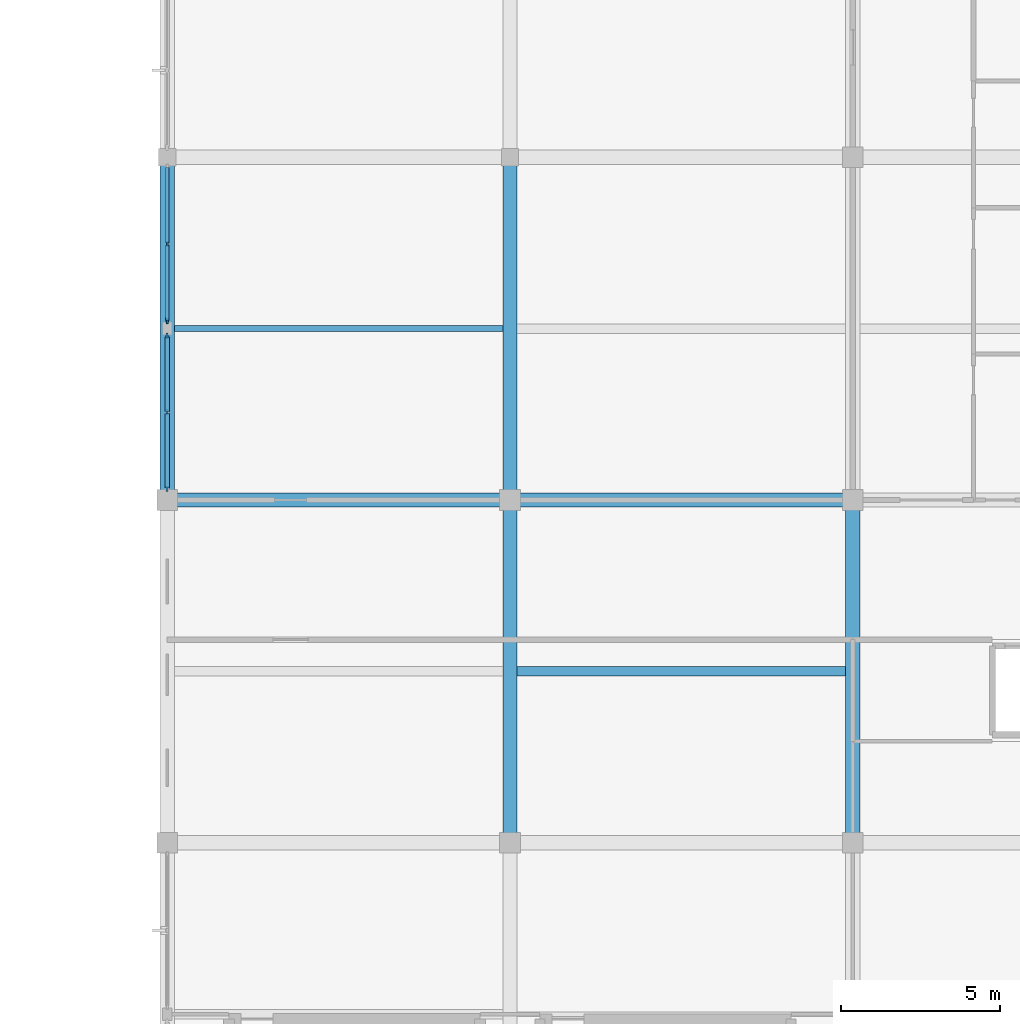
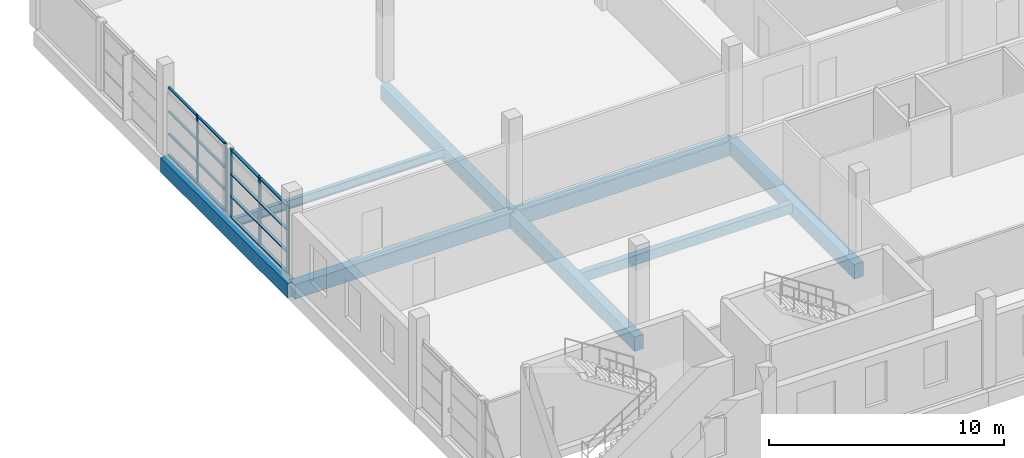
# One storey, part 5 of 24: 21 members, 8 beams, 2 elements without a shape of their own.
"""IFC4 building model written with IfcOpenShell, lengths in metres."""

import ifcopenshell
import ifcopenshell.guid

model = None  # the IFC model being written
_history = None  # IfcOwnerHistory: only IFC2X3 demands one
_inside = {}  # id of a spatial element -> (the spatial element, [elements in it])
_under = {}  # id of a project, library or spatial element -> (it, [spatial elements below it])
_declared = {}  # id of a project -> (the project, [libraries it declares])
_typed = {}  # id of a type object -> (the type object, [elements of that type])
_made_of = {}  # id of a material, layer set ... -> (it, [elements and type objects made of it])


def new_model(schema):
    """Start an empty IFC model of exactly this schema.

    Asked for "IFC4X3", IfcOpenShell would pick the latest addendum, in which some entities
    have other attributes; the version numbers below select the first issue.
    IFC2X3 requires an IfcOwnerHistory on every rooted entity: one is made here for all.
    """
    global model, _history
    if schema == "IFC4X3":
        model = ifcopenshell.file(schema_version=(4, 3, 0, 0))
    else:
        model = ifcopenshell.file(schema=schema)
    _inside.clear()
    _under.clear()
    _declared.clear()
    _typed.clear()
    _made_of.clear()
    _history = None
    if model.schema == "IFC2X3":
        org = make("IfcOrganization", Name="unknown")
        user = make(
            "IfcPersonAndOrganization",
            ThePerson=make("IfcPerson", FamilyName="unknown"),
            TheOrganization=org,
        )
        app = make(
            "IfcApplication",
            ApplicationDeveloper=org,
            Version="unknown",
            ApplicationFullName="unknown",
            ApplicationIdentifier="unknown",
        )
        _history = make(
            "IfcOwnerHistory",
            OwningUser=user,
            OwningApplication=app,
            ChangeAction="ADDED",
            CreationDate=0,
        )
    return model


def make(cls, **values):
    """One entity of the class cls with the attributes given. An attribute that is None is left unset."""
    return model.create_entity(
        cls, **{name: value for name, value in values.items() if value is not None}
    )


def rooted(cls, **values):
    """An entity with a GlobalId (a new one), such as an element, a storey or a relation."""
    return make(cls, GlobalId=ifcopenshell.guid.new(), OwnerHistory=_history, **values)


def si_unit(unit_type, name, prefix=None):
    """IfcSIUnit, for example si_unit("LENGTHUNIT", "METRE", prefix="MILLI")."""
    return make("IfcSIUnit", UnitType=unit_type, Prefix=prefix, Name=name)


def assignment(units):
    """IfcUnitAssignment: the units of a project."""
    return None if units is None else make("IfcUnitAssignment", Units=units)


def point(xyz):
    """IfcCartesianPoint."""
    return None if xyz is None else make("IfcCartesianPoint", Coordinates=xyz)


def direction(xyz):
    """IfcDirection."""
    return None if xyz is None else make("IfcDirection", DirectionRatios=xyz)


def frame(location, z_axis=None, x_axis=None):
    """IfcAxis2Placement3D, a coordinate frame: its origin and axes. An axis left out is left unset."""
    return make(
        "IfcAxis2Placement3D",
        Location=point(location),
        Axis=direction(z_axis),
        RefDirection=direction(x_axis),
    )


def frame_2d(location, x_axis=None):
    """IfcAxis2Placement2D, a coordinate frame in the plane: its origin and x axis."""
    return make(
        "IfcAxis2Placement2D", Location=point(location), RefDirection=direction(x_axis)
    )


def origin():
    """The frame at (0, 0, 0) with its axes left unset."""
    return frame((0.0, 0.0, 0.0))


def origin_2d():
    """The frame at (0, 0) in the plane with its x axis left unset."""
    return frame_2d((0.0, 0.0))


def place(relative_to, where):
    """IfcLocalPlacement: puts the frame where relative to a parent placement (None: the world)."""
    return make(
        "IfcLocalPlacement", PlacementRelTo=relative_to, RelativePlacement=where
    )


def context(
    kind, dimensions, precision=None, world=None, true_north=None, identifier=None
):
    """IfcGeometricRepresentationContext, for example the 3D "Model" context."""
    return make(
        "IfcGeometricRepresentationContext",
        ContextIdentifier=identifier,
        ContextType=kind,
        CoordinateSpaceDimension=dimensions,
        Precision=precision,
        WorldCoordinateSystem=world,
        TrueNorth=true_north,
    )


def subcontext(parent, identifier, kind, view, scale=None):
    """IfcGeometricRepresentationSubContext, for example "Body" below "Model"."""
    return make(
        "IfcGeometricRepresentationSubContext",
        ContextIdentifier=identifier,
        ContextType=kind,
        ParentContext=parent,
        TargetScale=scale,
        TargetView=view,
    )


def project(units=None, contexts=None):
    """IfcProject with its units and contexts."""
    return rooted(
        "IfcProject",
        Name="project",
        RepresentationContexts=contexts,
        UnitsInContext=assignment(units),
    )


def spatial(cls, under=None, at=None, **own):
    """A site, building, storey or space (cls), placed at a placement, below another one or the project."""
    s = rooted(cls, ObjectPlacement=at, **own)
    if under is not None:
        _under.setdefault(under.id(), (under, []))[1].append(s)
    return s


def profile(cls, at=None, kind="AREA", **sizes):
    """A parametric profile (cls). Its sizes go by their IFC names, for example OverallWidth=200.0."""
    return make(cls, ProfileType=kind, Position=at, **sizes)


def rectangle(**sizes):
    """IfcRectangleProfileDef."""
    return profile("IfcRectangleProfileDef", **sizes)


def i_section(**sizes):
    """IfcIShapeProfileDef."""
    return profile("IfcIShapeProfileDef", **sizes)


def extrude(swept, where, along, depth):
    """IfcExtrudedAreaSolid: the profile swept, set in the frame where, extruded along a direction by depth."""
    return make(
        "IfcExtrudedAreaSolid",
        SweptArea=swept,
        Position=where,
        ExtrudedDirection=direction(along),
        Depth=depth,
    )


def shape(context_of_items, identifier, shape_type, items):
    """IfcShapeRepresentation: the items that make up one representation, for example the "Body"."""
    return make(
        "IfcShapeRepresentation",
        ContextOfItems=context_of_items,
        RepresentationIdentifier=identifier,
        RepresentationType=shape_type,
        Items=items,
    )


def material(Name=None, Category=None):
    """IfcMaterial."""
    return make("IfcMaterial", Name=Name, Category=Category)


def material_profile(
    of_material, cross_section, Name=None, Category=None, Priority=None
):
    """IfcMaterialProfile: a cross section and its material."""
    return make(
        "IfcMaterialProfile",
        Name=Name,
        Material=of_material,
        Profile=cross_section,
        Priority=Priority,
        Category=Category,
    )


def profile_set(profiles, Name=None, composite=None):
    """IfcMaterialProfileSet."""
    return make(
        "IfcMaterialProfileSet",
        Name=Name,
        MaterialProfiles=profiles,
        CompositeProfile=composite,
    )


def made_of(thing, what):
    """Note that an element or type object is made of a material, layer set ...; save() writes the relation."""
    if what is not None:
        _made_of.setdefault(what.id(), (what, []))[1].append(thing)
    return thing


def type_object(cls, material=None, **own):
    """A type object (cls), such as IfcWallType, which elements share."""
    return made_of(rooted(cls, **own), material)


def element(
    cls,
    number,
    at=None,
    inside=None,
    cuts=None,
    type_object=None,
    material=None,
    context=None,
    identifier="Body",
    shape_type=None,
    held_by="IfcProductDefinitionShape",
    body=None,
    shapes=None,
    **own,
):
    """One element of the class cls, such as IfcWall. Its Tag is "e" and its number.

    at: its placement. inside: the storey or other place that contains it. cuts: it is an
    opening in that element (IfcRelVoidsElement). A single representation is given by context,
    identifier, shape_type and body (its items); several are given by shapes. held_by: the class
    of the entity that holds the representations. save() writes the other relations.
    """
    e = rooted(cls, Tag="e%d" % number, ObjectPlacement=at, **own)
    if body is not None:
        shapes = [shape(context, identifier, shape_type, body)]
    if shapes is not None:
        e.Representation = make(held_by, Representations=shapes)
    if inside is not None:
        _inside.setdefault(inside.id(), (inside, []))[1].append(e)
    if cuts is not None:
        rooted(
            "IfcRelVoidsElement", RelatingBuildingElement=cuts, RelatedOpeningElement=e
        )
    if type_object is not None:
        _typed.setdefault(type_object.id(), (type_object, []))[1].append(e)
    return made_of(e, material)


def aggregate(whole, parts):
    """IfcRelAggregates: a whole, such as a stair, and the parts it consists of."""
    return rooted("IfcRelAggregates", RelatingObject=whole, RelatedObjects=parts)


def save(model, path):
    """Write the relations noted so far, then the file.

    IfcRelAggregates (storeys below a building ...), IfcRelContainedInSpatialStructure (elements
    in a storey), IfcRelDefinesByType, IfcRelAssociatesMaterial and IfcRelDeclares: one each for
    every whole, place, type object, material and project.
    """
    for whole, parts in _under.values():
        aggregate(whole, parts)
    for where, things in _inside.values():
        rooted(
            "IfcRelContainedInSpatialStructure",
            RelatedElements=things,
            RelatingStructure=where,
        )
    for kind, things in _typed.values():
        rooted("IfcRelDefinesByType", RelatedObjects=things, RelatingType=kind)
    for what, things in _made_of.values():
        rooted("IfcRelAssociatesMaterial", RelatedObjects=things, RelatingMaterial=what)
    for by, libraries in _declared.values():
        rooted("IfcRelDeclares", RelatingContext=by, RelatedDefinitions=libraries)
    model.write(path)


model = new_model("IFC4")

# Units and contexts
model_context = context("Model", 3, precision=1e-05, world=origin(), true_north=direction((0.0, 1.0)))
body_context = subcontext(model_context, "Body", "Model", "MODEL_VIEW")
ifc_project = project(units=[si_unit("LENGTHUNIT", "METRE"), si_unit("AREAUNIT", "SQUARE_METRE"), si_unit("VOLUMEUNIT", "CUBIC_METRE"), si_unit("PLANEANGLEUNIT", "RADIAN"), si_unit("MASSUNIT", "GRAM", prefix="KILO")], contexts=[model_context])

# Site, building, storey
site_placement = place(None, origin())
site = spatial("IfcSite", under=ifc_project, at=site_placement, CompositionType="ELEMENT")
building_placement = place(site_placement, origin())
building = spatial("IfcBuilding", under=site, at=building_placement, Name="Zwinboog Wholesale Market", CompositionType="ELEMENT")
storey_placement = place(building_placement, frame((0.0, 0.0, 10.080078125)))
storey = spatial("IfcBuildingStorey", under=building, at=storey_placement, Name="L02", CompositionType="ELEMENT", Elevation=10.080078125)

# Beams
ifc_material_1 = material(Name="Precast concrete C45/55", Category="concrete")
ifc_material_profile_1 = material_profile(ifc_material_1, rectangle(XDim=0.449951171875, YDim=0.75, at=origin_2d()), Name="PC 450x750")
ifc_profile_set_1 = profile_set([ifc_material_profile_1], Name="Precast concrete C45/55")
beam_type_1 = type_object("IfcBeamType", Name="BT-04", PredefinedType="BEAM", material=ifc_profile_set_1)
beam_1_placement = place(storey_placement, frame((129.60009765625, 21.60009765625, -0.655029296875), z_axis=(1.0, 0.0, 0.0), x_axis=(0.0, 1.0, 0.0)))
element("IfcBeam", 1, at=beam_1_placement, inside=storey, type_object=beam_type_1, Name="BG-04 (BMG-L02-1296-0216-0933)", PredefinedType="BEAM", context=body_context, shape_type="SweptSolid", body=[
    extrude(rectangle(XDim=0.449951171875, YDim=0.75, at=origin_2d()), origin(), (0.0, 0.0, 1.0), 10.7998046875),
])
beam_2_placement = place(storey_placement, frame((140.39990234375, 21.60009765625, -0.68017578125), z_axis=(1.0, 0.0, 0.0), x_axis=(0.0, 1.0, 0.0)))
element("IfcBeam", 2, at=beam_2_placement, inside=storey, type_object=beam_type_1, Name="BG-04 (BMG-L02-1404-0216-0934)", PredefinedType="BEAM", context=body_context, shape_type="SweptSolid", body=[
    extrude(rectangle(XDim=0.449951171875, YDim=0.75, at=origin_2d()), origin(), (0.0, 0.0, 1.0), 10.800048828125),
])
beam_3_placement = place(storey_placement, frame((129.60009765625, 21.60009765625, -0.655029296875), z_axis=(0.0, 1.0, 0.0), x_axis=(-1.0, 0.0, 0.0)))
element("IfcBeam", 3, at=beam_3_placement, inside=storey, type_object=beam_type_1, Name="BG-04 (BMG-L02-1296-0216-0955)", PredefinedType="BEAM", context=body_context, shape_type="SweptSolid", body=[
    extrude(rectangle(XDim=0.449951171875, YDim=0.75, at=origin_2d()), origin(), (0.0, 0.0, 1.0), 10.7998046875),
])
beam_4_placement = place(storey_placement, frame((140.39990234375, 10.800048828125, -0.655029296875), z_axis=(0.0, 1.0, 0.0), x_axis=(-1.0, 0.0, 0.0)))
element("IfcBeam", 4, at=beam_4_placement, inside=storey, type_object=beam_type_1, Name="BG-04 (BMG-L02-1404-0108-0958)", PredefinedType="BEAM", context=body_context, shape_type="SweptSolid", body=[
    extrude(rectangle(XDim=0.449951171875, YDim=0.75, at=origin_2d()), origin(), (0.0, 0.0, 1.0), 10.800048828125),
])
beam_5_placement = place(storey_placement, frame((140.39990234375, 21.60009765625, -0.655029296875), z_axis=(0.0, 1.0, 0.0), x_axis=(-1.0, 0.0, 0.0)))
element("IfcBeam", 5, at=beam_5_placement, inside=storey, type_object=beam_type_1, Name="BG-04 (BMG-L02-1404-0216-0959)", PredefinedType="BEAM", context=body_context, shape_type="SweptSolid", body=[
    extrude(rectangle(XDim=0.449951171875, YDim=0.75, at=origin_2d()), origin(), (0.0, 0.0, 1.0), 10.7998046875),
])
beam_6_placement = place(storey_placement, frame((151.199951171875, 10.800048828125, -0.68017578125), z_axis=(0.0, 1.0, 0.0), x_axis=(-1.0, 0.0, 0.0)))
element("IfcBeam", 6, at=beam_6_placement, inside=storey, type_object=beam_type_1, Name="BG-04 (BMG-L02-1512-0108-0962)", PredefinedType="BEAM", context=body_context, shape_type="SweptSolid", body=[
    extrude(rectangle(XDim=0.449951171875, YDim=0.75, at=origin_2d()), origin(), (0.0, 0.0, 1.0), 10.800048828125),
])
ifc_material_profile_2 = material_profile(ifc_material_1, rectangle(XDim=0.300048828125, YDim=0.5, at=origin_2d()), Name="PC 300x500")
ifc_profile_set_2 = profile_set([ifc_material_profile_2], Name="Precast concrete C45/55")
beam_type_2 = type_object("IfcBeamType", Name="BT-10", PredefinedType="JOIST", material=ifc_profile_set_2)
beam_7_placement = place(storey_placement, frame((140.625, 16.199951171875, -0.55517578125), z_axis=(1.0, 0.0, 0.0), x_axis=(0.0, 1.0, 0.0)))
element("IfcBeam", 7, at=beam_7_placement, inside=storey, type_object=beam_type_2, Name="BJ-01 (BMG-L02-1406-0162-1000)", PredefinedType="JOIST", context=body_context, shape_type="SweptSolid", body=[
    extrude(rectangle(XDim=0.300048828125, YDim=0.5, at=origin_2d()), origin(), (0.0, 0.0, 1.0), 10.35009765625),
])
ifc_material_2 = material(Name="Steel S355", Category="steel")
ifc_material_profile_3 = material_profile(ifc_material_2, i_section(OverallWidth=0.18994140625, OverallDepth=0.449951171875, WebThickness=0.009521484375, FlangeThickness=0.0146484375, FilletRadius=0.02099609375, at=origin_2d()), Name="IPE 450")
ifc_profile_set_3 = profile_set([ifc_material_profile_3], Name="Steel S355")
beam_type_3 = type_object("IfcBeamType", Name="BT-19", PredefinedType="JOIST", material=ifc_profile_set_3)
beam_8_placement = place(storey_placement, frame((129.824951171875, 27.0, -0.505126953125), z_axis=(1.0, 0.0, 0.0), x_axis=(0.0, 1.0, 0.0)))
element("IfcBeam", 8, at=beam_8_placement, inside=storey, type_object=beam_type_3, Name="SJ-02 (BMG-L02-1298-0270-0997)", PredefinedType="JOIST", context=body_context, shape_type="SweptSolid", body=[
    extrude(i_section(OverallWidth=0.18994140625, OverallDepth=0.449951171875, WebThickness=0.009521484375, FlangeThickness=0.0146484375, FilletRadius=0.02099609375, at=origin_2d()), origin(), (0.0, 0.0, 1.0), 10.35009765625),
])

# Curtain wall, members
ifc_material_3 = material(Name="Aluminium thermally broken curtain wall", Category="aluminium")
curtain_wall_type_1 = type_object("IfcCurtainWallType", Name="CWT-STALL-18", PredefinedType="USERDEFINED", material=ifc_material_3)
curtain_wall_1_placement = place(storey_placement, origin())
curtain_wall_1 = element("IfcCurtainWall", 9, at=curtain_wall_1_placement, inside=storey, type_object=curtain_wall_type_1, Name="CW-01 (CW-L02-157)", ObjectType="STOREFRONT_GLAZING", PredefinedType="USERDEFINED")
ifc_material_4 = material(Name="Aluminium EN AW-6060", Category="aluminium")
ifc_material_profile_4 = material_profile(ifc_material_4, rectangle(XDim=0.06494140625, YDim=0.179931640625, at=origin_2d()), Name="AL 65x180")
ifc_profile_set_4 = profile_set([ifc_material_profile_4], Name="Aluminium EN AW-6060")
member_type_1 = type_object("IfcMemberType", Name="CWM-65x180", PredefinedType="MULLION", material=ifc_profile_set_4)
member_1_placement = place(storey_placement, frame((129.60009765625, 21.952392578125, 0.0), z_axis=(0.0, 0.0, 1.0), x_axis=(-1.0, 0.0, 0.0)))
member_1 = element("IfcMember", 10, at=member_1_placement, type_object=member_type_1, Name="CW-01 mullion 1", PredefinedType="MULLION", context=body_context, shape_type="SweptSolid", body=[
    extrude(rectangle(XDim=0.06494140625, YDim=0.179931640625, at=origin_2d()), origin(), (0.0, 0.0, 1.0), 3.530029296875),
])
member_2_placement = place(storey_placement, frame((129.60009765625, 24.360107421875, 0.0), z_axis=(0.0, 0.0, 1.0), x_axis=(-1.0, 0.0, 0.0)))
member_2 = element("IfcMember", 11, at=member_2_placement, type_object=member_type_1, Name="CW-01 mullion 2", PredefinedType="MULLION", context=body_context, shape_type="SweptSolid", body=[
    extrude(rectangle(XDim=0.06494140625, YDim=0.179931640625, at=origin_2d()), origin(), (0.0, 0.0, 1.0), 3.530029296875),
])
member_3_placement = place(storey_placement, frame((129.60009765625, 26.767578125, 0.0), z_axis=(0.0, 0.0, 1.0), x_axis=(-1.0, 0.0, 0.0)))
member_3 = element("IfcMember", 12, at=member_3_placement, type_object=member_type_1, Name="CW-01 mullion 3", PredefinedType="MULLION", context=body_context, shape_type="SweptSolid", body=[
    extrude(rectangle(XDim=0.06494140625, YDim=0.179931640625, at=origin_2d()), origin(), (0.0, 0.0, 1.0), 3.530029296875),
])

curtain_wall_type_2 = type_object("IfcCurtainWallType", Name="CWT-STALL-20", PredefinedType="USERDEFINED", material=ifc_material_3)
curtain_wall_2_placement = place(storey_placement, origin())
curtain_wall_2 = element("IfcCurtainWall", 13, at=curtain_wall_2_placement, inside=storey, type_object=curtain_wall_type_2, Name="CW-02 (CW-L02-158)", ObjectType="STOREFRONT_GLAZING", PredefinedType="USERDEFINED")
ifc_material_profile_5 = material_profile(ifc_material_4, rectangle(XDim=0.06005859375, YDim=0.14990234375, at=origin_2d()), Name="AL 60x150")
ifc_profile_set_5 = profile_set([ifc_material_profile_5], Name="Aluminium EN AW-6060")
member_type_2 = type_object("IfcMemberType", Name="CWM-60x150", PredefinedType="MULLION", material=ifc_profile_set_5)
member_4_placement = place(storey_placement, frame((129.60009765625, 27.22998046875, 0.0), z_axis=(0.0, 0.0, 1.0), x_axis=(-1.0, 0.0, 0.0)))
member_4 = element("IfcMember", 14, at=member_4_placement, type_object=member_type_2, Name="CW-02 mullion 1", PredefinedType="MULLION", context=body_context, shape_type="SweptSolid", body=[
    extrude(rectangle(XDim=0.06005859375, YDim=0.14990234375, at=origin_2d()), origin(), (0.0, 0.0, 1.0), 3.530029296875),
])
member_5_placement = place(storey_placement, frame((129.60009765625, 29.6650390625, 0.0), z_axis=(0.0, 0.0, 1.0), x_axis=(-1.0, 0.0, 0.0)))
member_5 = element("IfcMember", 15, at=member_5_placement, type_object=member_type_2, Name="CW-02 mullion 2", PredefinedType="MULLION", context=body_context, shape_type="SweptSolid", body=[
    extrude(rectangle(XDim=0.06005859375, YDim=0.14990234375, at=origin_2d()), origin(), (0.0, 0.0, 1.0), 3.530029296875),
])

# Member
ifc_material_profile_6 = material_profile(ifc_material_4, rectangle(XDim=0.139892578125, YDim=0.06494140625, at=origin_2d()), Name="AL 65x140")
ifc_profile_set_6 = profile_set([ifc_material_profile_6], Name="Aluminium EN AW-6060")
member_type_3 = type_object("IfcMemberType", Name="CWT-65x140", PredefinedType="USERDEFINED", material=ifc_profile_set_6)
member_6_placement = place(storey_placement, frame((129.60009765625, 21.985107421875, 0.032470703125), z_axis=(0.0, 1.0, 0.0), x_axis=(-1.0, 0.0, 0.0)))
member_6 = element("IfcMember", 16, at=member_6_placement, type_object=member_type_3, Name="CW-01 transom 1.1", ObjectType="TRANSOM", PredefinedType="USERDEFINED", context=body_context, shape_type="SweptSolid", body=[
    extrude(rectangle(XDim=0.139892578125, YDim=0.06494140625, at=origin_2d()), origin(), (0.0, 0.0, 1.0), 2.34228515625),
])

member_7_placement = place(storey_placement, frame((129.60009765625, 21.985107421875, 1.099853515625), z_axis=(0.0, 1.0, 0.0), x_axis=(-1.0, 0.0, 0.0)))
member_7 = element("IfcMember", 17, at=member_7_placement, type_object=member_type_3, Name="CW-01 transom 1.2", ObjectType="TRANSOM", PredefinedType="USERDEFINED", context=body_context, shape_type="SweptSolid", body=[
    extrude(rectangle(XDim=0.139892578125, YDim=0.06494140625, at=origin_2d()), origin(), (0.0, 0.0, 1.0), 2.34228515625),
])

member_8_placement = place(storey_placement, frame((129.60009765625, 21.985107421875, 2.25), z_axis=(0.0, 1.0, 0.0), x_axis=(-1.0, 0.0, 0.0)))
member_8 = element("IfcMember", 18, at=member_8_placement, type_object=member_type_3, Name="CW-01 transom 1.3", ObjectType="TRANSOM", PredefinedType="USERDEFINED", context=body_context, shape_type="SweptSolid", body=[
    extrude(rectangle(XDim=0.139892578125, YDim=0.06494140625, at=origin_2d()), origin(), (0.0, 0.0, 1.0), 2.34228515625),
])

member_9_placement = place(storey_placement, frame((129.60009765625, 21.985107421875, 3.497314453125), z_axis=(0.0, 1.0, 0.0), x_axis=(-1.0, 0.0, 0.0)))
member_9 = element("IfcMember", 19, at=member_9_placement, type_object=member_type_3, Name="CW-01 transom 1.4", ObjectType="TRANSOM", PredefinedType="USERDEFINED", context=body_context, shape_type="SweptSolid", body=[
    extrude(rectangle(XDim=0.139892578125, YDim=0.06494140625, at=origin_2d()), origin(), (0.0, 0.0, 1.0), 2.34228515625),
])

member_10_placement = place(storey_placement, frame((129.60009765625, 24.392578125, 0.032470703125), z_axis=(0.0, 1.0, 0.0), x_axis=(-1.0, 0.0, 0.0)))
member_10 = element("IfcMember", 20, at=member_10_placement, type_object=member_type_3, Name="CW-01 transom 2.1", ObjectType="TRANSOM", PredefinedType="USERDEFINED", context=body_context, shape_type="SweptSolid", body=[
    extrude(rectangle(XDim=0.139892578125, YDim=0.06494140625, at=origin_2d()), origin(), (0.0, 0.0, 1.0), 2.342529296875),
])

member_11_placement = place(storey_placement, frame((129.60009765625, 24.392578125, 1.099853515625), z_axis=(0.0, 1.0, 0.0), x_axis=(-1.0, 0.0, 0.0)))
member_11 = element("IfcMember", 21, at=member_11_placement, type_object=member_type_3, Name="CW-01 transom 2.2", ObjectType="TRANSOM", PredefinedType="USERDEFINED", context=body_context, shape_type="SweptSolid", body=[
    extrude(rectangle(XDim=0.139892578125, YDim=0.06494140625, at=origin_2d()), origin(), (0.0, 0.0, 1.0), 2.342529296875),
])

member_12_placement = place(storey_placement, frame((129.60009765625, 24.392578125, 2.25), z_axis=(0.0, 1.0, 0.0), x_axis=(-1.0, 0.0, 0.0)))
member_12 = element("IfcMember", 22, at=member_12_placement, type_object=member_type_3, Name="CW-01 transom 2.3", ObjectType="TRANSOM", PredefinedType="USERDEFINED", context=body_context, shape_type="SweptSolid", body=[
    extrude(rectangle(XDim=0.139892578125, YDim=0.06494140625, at=origin_2d()), origin(), (0.0, 0.0, 1.0), 2.342529296875),
])

member_13_placement = place(storey_placement, frame((129.60009765625, 24.392578125, 3.497314453125), z_axis=(0.0, 1.0, 0.0), x_axis=(-1.0, 0.0, 0.0)))
member_13 = element("IfcMember", 23, at=member_13_placement, type_object=member_type_3, Name="CW-01 transom 2.4", ObjectType="TRANSOM", PredefinedType="USERDEFINED", context=body_context, shape_type="SweptSolid", body=[
    extrude(rectangle(XDim=0.139892578125, YDim=0.06494140625, at=origin_2d()), origin(), (0.0, 0.0, 1.0), 2.342529296875),
])

aggregate(curtain_wall_1, [member_1, member_2, member_3, member_6, member_7, member_8, member_9, member_10, member_11, member_12, member_13])

ifc_material_profile_7 = material_profile(ifc_material_4, rectangle(XDim=0.110107421875, YDim=0.06005859375, at=origin_2d()), Name="AL 60x110")
ifc_profile_set_7 = profile_set([ifc_material_profile_7], Name="Aluminium EN AW-6060")
member_type_4 = type_object("IfcMemberType", Name="CWT-60x110", PredefinedType="USERDEFINED", material=ifc_profile_set_7)
member_14_placement = place(storey_placement, frame((129.60009765625, 27.260009765625, 0.030029296875), z_axis=(0.0, 1.0, 0.0), x_axis=(-1.0, 0.0, 0.0)))
member_14 = element("IfcMember", 24, at=member_14_placement, type_object=member_type_4, Name="CW-02 transom 1.1", ObjectType="TRANSOM", PredefinedType="USERDEFINED", context=body_context, shape_type="SweptSolid", body=[
    extrude(rectangle(XDim=0.110107421875, YDim=0.06005859375, at=origin_2d()), origin(), (0.0, 0.0, 1.0), 2.375),
])

member_15_placement = place(storey_placement, frame((129.60009765625, 27.260009765625, 1.099853515625), z_axis=(0.0, 1.0, 0.0), x_axis=(-1.0, 0.0, 0.0)))
member_15 = element("IfcMember", 25, at=member_15_placement, type_object=member_type_4, Name="CW-02 transom 1.2", ObjectType="TRANSOM", PredefinedType="USERDEFINED", context=body_context, shape_type="SweptSolid", body=[
    extrude(rectangle(XDim=0.110107421875, YDim=0.06005859375, at=origin_2d()), origin(), (0.0, 0.0, 1.0), 2.375),
])

member_16_placement = place(storey_placement, frame((129.60009765625, 27.260009765625, 2.25), z_axis=(0.0, 1.0, 0.0), x_axis=(-1.0, 0.0, 0.0)))
member_16 = element("IfcMember", 26, at=member_16_placement, type_object=member_type_4, Name="CW-02 transom 1.3", ObjectType="TRANSOM", PredefinedType="USERDEFINED", context=body_context, shape_type="SweptSolid", body=[
    extrude(rectangle(XDim=0.110107421875, YDim=0.06005859375, at=origin_2d()), origin(), (0.0, 0.0, 1.0), 2.375),
])

member_17_placement = place(storey_placement, frame((129.60009765625, 27.260009765625, 3.5), z_axis=(0.0, 1.0, 0.0), x_axis=(-1.0, 0.0, 0.0)))
member_17 = element("IfcMember", 27, at=member_17_placement, type_object=member_type_4, Name="CW-02 transom 1.4", ObjectType="TRANSOM", PredefinedType="USERDEFINED", context=body_context, shape_type="SweptSolid", body=[
    extrude(rectangle(XDim=0.110107421875, YDim=0.06005859375, at=origin_2d()), origin(), (0.0, 0.0, 1.0), 2.375),
])

member_18_placement = place(storey_placement, frame((129.60009765625, 29.695068359375, 0.030029296875), z_axis=(0.0, 1.0, 0.0), x_axis=(-1.0, 0.0, 0.0)))
member_18 = element("IfcMember", 28, at=member_18_placement, type_object=member_type_4, Name="CW-02 transom 2.1", ObjectType="TRANSOM", PredefinedType="USERDEFINED", context=body_context, shape_type="SweptSolid", body=[
    extrude(rectangle(XDim=0.110107421875, YDim=0.06005859375, at=origin_2d()), origin(), (0.0, 0.0, 1.0), 2.375),
])

member_19_placement = place(storey_placement, frame((129.60009765625, 29.695068359375, 1.099853515625), z_axis=(0.0, 1.0, 0.0), x_axis=(-1.0, 0.0, 0.0)))
member_19 = element("IfcMember", 29, at=member_19_placement, type_object=member_type_4, Name="CW-02 transom 2.2", ObjectType="TRANSOM", PredefinedType="USERDEFINED", context=body_context, shape_type="SweptSolid", body=[
    extrude(rectangle(XDim=0.110107421875, YDim=0.06005859375, at=origin_2d()), origin(), (0.0, 0.0, 1.0), 2.375),
])

member_20_placement = place(storey_placement, frame((129.60009765625, 29.695068359375, 2.25), z_axis=(0.0, 1.0, 0.0), x_axis=(-1.0, 0.0, 0.0)))
member_20 = element("IfcMember", 30, at=member_20_placement, type_object=member_type_4, Name="CW-02 transom 2.3", ObjectType="TRANSOM", PredefinedType="USERDEFINED", context=body_context, shape_type="SweptSolid", body=[
    extrude(rectangle(XDim=0.110107421875, YDim=0.06005859375, at=origin_2d()), origin(), (0.0, 0.0, 1.0), 2.375),
])

member_21_placement = place(storey_placement, frame((129.60009765625, 29.695068359375, 3.5), z_axis=(0.0, 1.0, 0.0), x_axis=(-1.0, 0.0, 0.0)))
member_21 = element("IfcMember", 31, at=member_21_placement, type_object=member_type_4, Name="CW-02 transom 2.4", ObjectType="TRANSOM", PredefinedType="USERDEFINED", context=body_context, shape_type="SweptSolid", body=[
    extrude(rectangle(XDim=0.110107421875, YDim=0.06005859375, at=origin_2d()), origin(), (0.0, 0.0, 1.0), 2.375),
])

aggregate(curtain_wall_2, [member_4, member_5, member_14, member_15, member_16, member_17, member_18, member_19, member_20, member_21])

save(model, "model.ifc")
